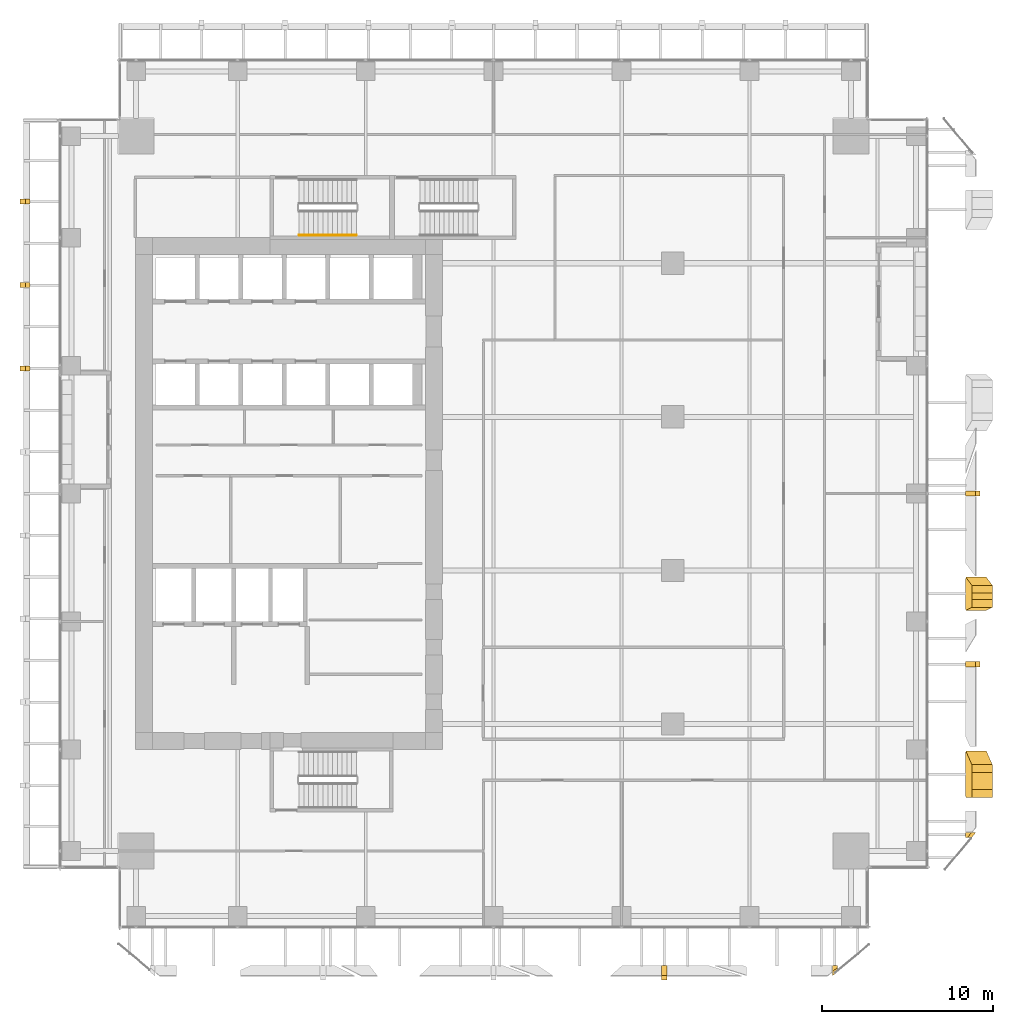
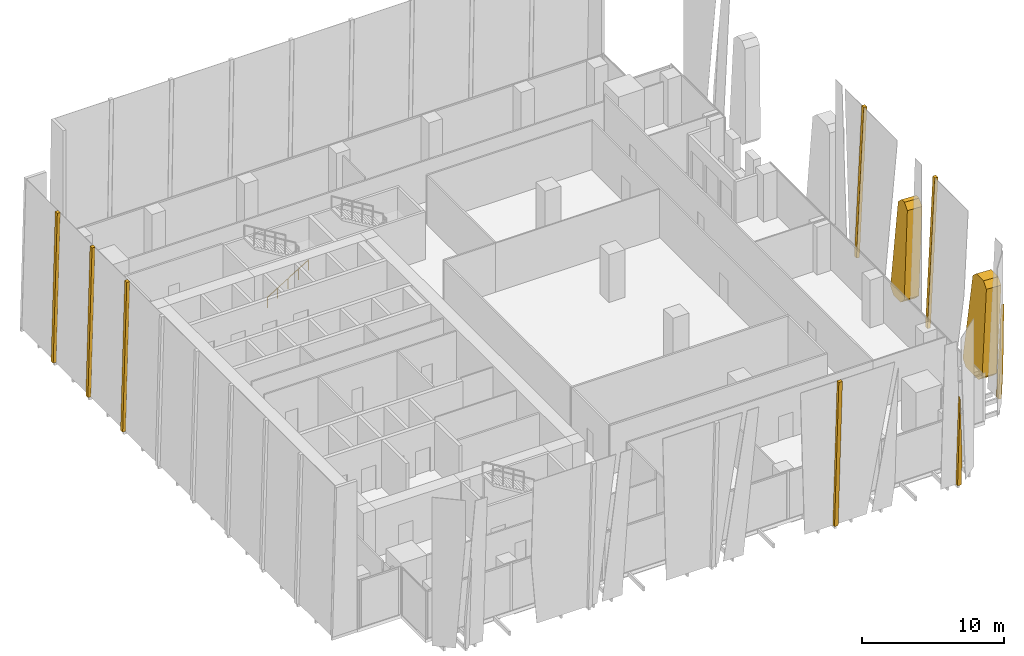
# One storey, part 32 of 35: 10 coverings, 1 railing.
"""IFC4 building model written with IfcOpenShell, lengths in metres."""

from ifc_helpers import new_model, si_unit, direction, frame, origin, origin_2d, place, context, subcontext, project, spatial, polyline, circle, outline, extrude, source, transform, mapped, material, layer, layer_set, type_object, element, save


model = new_model("IFC4")

# Units and contexts
model_context = context("Model", 3, precision=1e-05, world=origin(), true_north=direction((0.0, 1.0)))
body_context = subcontext(model_context, "Body", "Model", "MODEL_VIEW")
ifc_project = project(units=[si_unit("LENGTHUNIT", "METRE"), si_unit("AREAUNIT", "SQUARE_METRE"), si_unit("VOLUMEUNIT", "CUBIC_METRE"), si_unit("PLANEANGLEUNIT", "RADIAN"), si_unit("MASSUNIT", "GRAM", prefix="KILO")], contexts=[model_context])

# Site, building, storey
site_placement = place(None, origin())
site = spatial("IfcSite", under=ifc_project, at=site_placement, CompositionType="ELEMENT")
building_placement = place(site_placement, origin())
building = spatial("IfcBuilding", under=site, at=building_placement, Name="Khomas Fold Tower", CompositionType="ELEMENT")
storey_placement = place(building_placement, frame((0.0, 0.0, 127.89990234375)))
storey = spatial("IfcBuildingStorey", under=building, at=storey_placement, Name="L27", CompositionType="ELEMENT", Elevation=127.89990234375)

# Coverings
ifc_material_1 = material(Name="Natural stone cladding", Category="masonry")
ifc_layer_1 = layer(ifc_material_1, 0.25)
ifc_layer_set_1 = layer_set([ifc_layer_1], Name="Natural stone cladding")
covering_type_1 = type_object("IfcCoveringType", Name="SK-Karibib marble stone mullion", PredefinedType="CLADDING", material=ifc_layer_set_1)
covering_1_placement = place(storey_placement, frame((36.85009765625, -0.653076171875, 0.0), z_axis=(0.0, 0.998875266546, 0.047415207295), x_axis=(0.0, -0.047415207295, 0.998875266546)))
element("IfcCovering", 1, at=covering_1_placement, inside=storey, type_object=covering_type_1, Name="OUTER SKIN mullion L27 SM105-14", PredefinedType="CLADDING", context=body_context, shape_type="SweptSolid", body=[
    extrude(outline(polyline([(0.0, 0.0), (12.764356498773964, 0.0), (12.764356498773964, 0.2998046875), (0.0, 0.2998046875), (0.0, 0.0)])), origin(), (0.0, 0.0, -1.0), 0.25),
])
covering_2_placement = place(storey_placement, frame((47.14990234375, -0.774658203125, 2.56103515625), z_axis=(2.0950935e-05, 0.998875137058, 0.047417930458), x_axis=(-5.1e-11, 0.047417930469, -0.998875137277)))
element("IfcCovering", 2, at=covering_2_placement, inside=storey, type_object=covering_type_1, Name="OUTER SKIN mullion L27 SM107-17", PredefinedType="CLADDING", context=body_context, shape_type="SweptSolid", body=[
    extrude(outline(polyline([(0.0, 0.0), (2.563919511574395, -8.470329472543003e-22), (2.5639195115897833, 0.2998046874342016), (-5.272531841327027, 0.29980468796801524), (0.0, 0.0)])), origin(), (0.0, 0.0, -1.0), 0.25),
])
covering_3_placement = place(storey_placement, frame((54.653076171875, 6.85009765625, 0.0), z_axis=(-0.998875137058, -2.0950935e-05, 0.047417930458), x_axis=(0.047417930469, -5.1e-11, 0.998875137277)))
element("IfcCovering", 3, at=covering_3_placement, inside=storey, type_object=covering_type_1, Name="OUTER SKIN mullion L27 EM099-1", PredefinedType="CLADDING", context=body_context, shape_type="SweptSolid", body=[
    extrude(outline(polyline([(0.0, 0.0), (2.563919511574395, 8.470329472543003e-22), (7.836451352901421, 0.29980468796801524), (-1.5387897220766973e-11, 0.2998046874342016), (0.0, 0.0)])), origin(), (0.0, 0.0, -1.0), 0.25),
])
for number, where, z_axis, x_axis, name in (
    (4, (54.653076171875, 16.85009765625, 0.0), (-0.998875266546, 0.0, 0.047415207295), (0.047415207295, 0.0, 0.998875266546), "OUTER SKIN mullion L27 EM101-6"),
    (5, (54.653076171875, 26.85009765625, 0.0), (-0.998875266546, 0.0, 0.047415207295), (0.047415207295, 0.0, 0.998875266546), "OUTER SKIN mullion L27 EM103-9"),
):
    element("IfcCovering", number, at=place(storey_placement, frame(where, z_axis=z_axis, x_axis=x_axis)), inside=storey, type_object=covering_type_1, Name=name, PredefinedType="CLADDING", context=body_context, shape_type="SweptSolid", body=[
        extrude(outline(polyline([(0.0, 0.0), (12.764356498773964, 0.0), (12.764356498773964, 0.2998046875), (0.0, 0.2998046875), (0.0, 0.0)])), origin(), (0.0, 0.0, -1.0), 0.25),
    ])
for number, where, z_axis, x_axis, name in (
    (6, (-0.758544921875, 34.183349609375, 0.006591796875), (-0.999657592188, 0.0, 0.026166741891), (0.0, 1.0, 0.0), "OUTER SKIN mullion L27 W12"),
    (7, (-0.758544921875, 39.072265625, 0.006591796875), (-0.999657592188, 0.0, 0.026166741891), (0.0, 1.0, 0.0), "OUTER SKIN mullion L27 W14"),
    (8, (-0.758544921875, 43.961181640625, 0.006591796875), (-0.999657592188, 0.0, 0.026166741891), (0.0, 1.0, 0.0), "OUTER SKIN mullion L27 W16"),
):
    element("IfcCovering", number, at=place(storey_placement, frame(where, z_axis=z_axis, x_axis=x_axis)), inside=storey, type_object=covering_type_1, Name=name, PredefinedType="CLADDING", context=body_context, shape_type="SweptSolid", body=[
        extrude(outline(polyline([(0.0, 0.0), (0.300048828125, 0.0), (0.300048828125, -12.754367194966619), (0.0, -12.754367194966619), (0.0, 0.0)])), origin(), (0.0, 0.0, -1.0), 0.25),
    ])
ifc_material_2 = material(Name="Natural stone cladding", Category="masonry")
ifc_layer_2 = layer(ifc_material_2, 1.199951171875)
ifc_layer_set_2 = layer_set([ifc_layer_2], Name="Natural stone cladding")
covering_type_2 = type_object("IfcCoveringType", Name="SK-Karibib marble stone panel", PredefinedType="CLADDING", material=ifc_layer_set_2)
covering_4_placement = place(storey_placement, frame((55.030517578125, 11.114990234375, 7.948486328125), z_axis=(-0.9988746854, 9.966504e-06, 0.047427447415), x_axis=(-0.047152398076, 0.107332705699, -0.993104396145)))
element("IfcCovering", 9, at=covering_4_placement, inside=storey, type_object=covering_type_2, Name="OUTER SKIN leaf L27 ES03-1", PredefinedType="CLADDING", context=body_context, shape_type="SweptSolid", body=[
    extrude(outline(polyline([(0.0, 0.0), (7.501681576313384, 0.0), (7.949889448066796, 0.4982513071586824), (7.754222135212224, 2.310718184445058), (7.2578236747324105, 2.7096943873527524), (-0.15742469460039493, 1.9091712236664462), (-0.556991744532938, 1.4134698501165646), (-0.4477461268430077, 0.4015273817347644), (0.0, 0.0)])), origin(), (0.0, 0.0, -1.0), 1.199951171875),
])
covering_5_placement = place(storey_placement, frame((55.029541015625, 21.6279296875, 7.928466796875), z_axis=(-0.998874798039, 4.849369e-06, 0.047425075854), x_axis=(-0.047330800169, 0.062920540212, -0.996895581781)))
element("IfcCovering", 10, at=covering_5_placement, inside=storey, type_object=covering_type_2, Name="OUTER SKIN leaf L27 ES06-2", PredefinedType="CLADDING", context=body_context, shape_type="SweptSolid", body=[
    extrude(outline(polyline([(0.0, 0.0), (7.473153312486624, -1.1102230246251565e-16), (7.923008349414505, 0.47822731968238175), (7.857522445380214, 1.516936556685442), (7.368908116657741, 1.9369761423096876), (-0.06371010894415363, 1.2942100488288784), (-0.4744815787707115, 0.8174682686339743), (-0.4495192062500166, 0.4215258548103822), (0.0, 0.0)])), origin(), (0.0, 0.0, -1.0), 1.199951171875),
])

# Railing
ifc_material_3 = material(Name="Steel handrail", Category="steel")
railing_type = type_object("IfcRailingType", Name="Stair handrail", PredefinedType="HANDRAIL", material=ifc_material_3)
shared_shape = source(origin(), body_context, "Body", "SweptSolid", [
    extrude(circle(Radius=0.02392578125, at=origin_2d()), frame((0.0, 0.0, 0.8759765625), z_axis=(0.855820338506, 0.0, 0.51727318527), x_axis=(0.0, 1.0, 0.0)), (0.0, 0.0, 1.0), 3.92578125),
    extrude(circle(Radius=0.02099609375, at=origin_2d()), origin(), (0.0, 0.0, 1.0), 0.851806640625),
    extrude(circle(Radius=0.02099609375, at=origin_2d()), frame((0.83984375, 0.0, 0.5078125)), (0.0, 0.0, 1.0), 0.851806640625),
    extrude(circle(Radius=0.02099609375, at=origin_2d()), frame((1.679931640625, 0.0, 1.015380859375)), (0.0, 0.0, 1.0), 0.851806640625),
    extrude(circle(Radius=0.02099609375, at=origin_2d()), frame((2.52001953125, 0.0, 1.52294921875)), (0.0, 0.0, 1.0), 0.851806640625),
    extrude(circle(Radius=0.02099609375, at=origin_2d()), frame((3.35986328125, 0.0, 2.03076171875)), (0.0, 0.0, 1.0), 0.851806640625),
])
railing_placement = place(storey_placement, frame((15.60009765625, 42.14990234375, 0.16943359375)))
element("IfcRailing", 11, at=railing_placement, inside=storey, type_object=railing_type, Name="L27 ST1 stair handrail 1", PredefinedType="HANDRAIL", context=body_context, shape_type="MappedRepresentation", body=[
    mapped(shared_shape, transform((0.0, 0.0, 0.0))),
])

save(model, "model.ifc")
